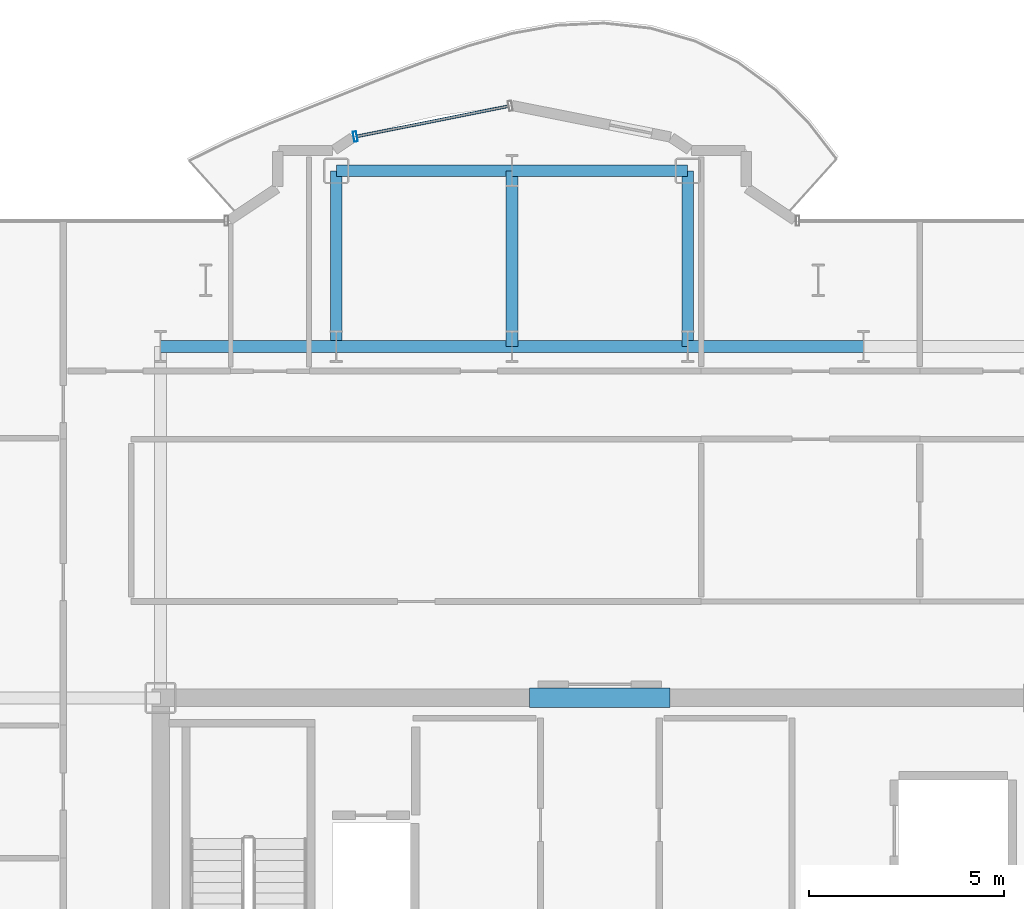
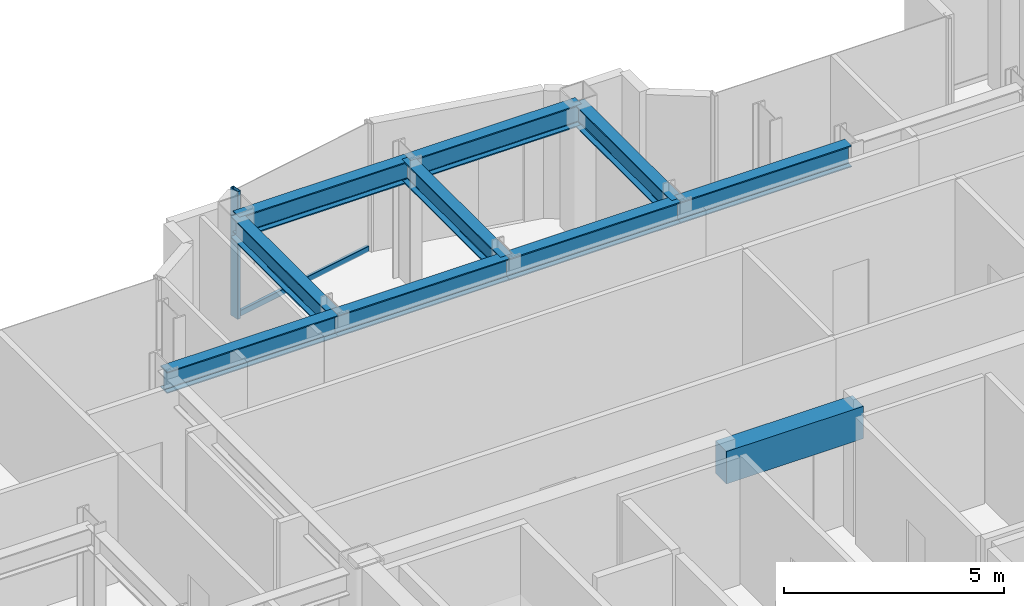
# One storey, part 9 of 21: 10 beams, 2 members, 1 element without a shape of its own.
"""IFC4 building model written with IfcOpenShell, lengths in metres."""

from ifc_helpers import new_model, si_unit, direction, frame, origin, origin_2d, place, context, subcontext, project, spatial, rectangle, hollow_rectangle, i_section, extrude, source, transform, mapped, material, layer, layer_set, material_profile, profile_set, type_object, element, aggregate, save


model = new_model("IFC4")

# Units and contexts
model_context = context("Model", 3, precision=1e-05, world=origin(), true_north=direction((0.0, 1.0)))
body_context = subcontext(model_context, "Body", "Model", "MODEL_VIEW")
ifc_project = project(units=[si_unit("LENGTHUNIT", "METRE"), si_unit("AREAUNIT", "SQUARE_METRE"), si_unit("VOLUMEUNIT", "CUBIC_METRE"), si_unit("PLANEANGLEUNIT", "RADIAN"), si_unit("MASSUNIT", "GRAM", prefix="KILO")], contexts=[model_context])

# Site, building, storey
site_placement = place(None, origin())
site = spatial("IfcSite", under=ifc_project, at=site_placement, CompositionType="ELEMENT")
building_placement = place(site_placement, origin())
building = spatial("IfcBuilding", under=site, at=building_placement, Name="Nefas-Gora Pilgrimage Tower", CompositionType="ELEMENT")
storey_placement = place(building_placement, frame((0.0, 0.0, 210.39990234375)))
storey = spatial("IfcBuildingStorey", under=building, at=storey_placement, Name="L52", CompositionType="ELEMENT", Elevation=210.39990234375)

# Beams
ifc_material_1 = material(Name="Concrete C50/60", Category="concrete")
ifc_material_profile_1 = material_profile(ifc_material_1, rectangle(XDim=0.5, YDim=0.89990234375, at=origin_2d()), Name="RC 500x900")
ifc_profile_set_1 = profile_set([ifc_material_profile_1], Name="Concrete C50/60")
beam_type_1 = type_object("IfcBeamType", Name="BM-LIN-RC900", PredefinedType="LINTEL", material=ifc_profile_set_1)
shared_shape_1 = source(origin(), body_context, "Body", "SweptSolid", [
    extrude(rectangle(XDim=0.5, YDim=0.89990234375, at=origin_2d()), origin(), (0.0, 0.0, 1.0), 3.60009765625),
])
beam_placement = place(storey_placement, frame((-1.800048828125, 9.0, 3.10009765625), z_axis=(1.0, 0.0, 0.0), x_axis=(0.0, 1.0, 0.0)))
element("IfcBeam", 1, at=beam_placement, inside=storey, type_object=beam_type_1, Name="L52 Core Coupling Lintel Beam N", PredefinedType="LINTEL", context=body_context, shape_type="MappedRepresentation", body=[
    mapped(shared_shape_1, transform((0.0, 0.0, 0.0), x_axis=(1.0, 0.0, 0.0), y_axis=(0.0, 1.0, 0.0), z_axis=(0.0, 0.0, 1.0), scale=1.0)),
])
ifc_material_2 = material(Name="Steel S355", Category="steel")
ifc_material_profile_2 = material_profile(ifc_material_2, i_section(OverallWidth=0.300048828125, OverallDepth=0.60009765625, WebThickness=0.015380859375, FlangeThickness=0.030029296875, FilletRadius=0.027099609375, at=origin_2d()), Name="HEB 600")
ifc_profile_set_2 = profile_set([ifc_material_profile_2], Name="Steel S355")
beam_type_2 = type_object("IfcBeamType", Name="BM-GIR-HEB600", PredefinedType="BEAM", material=ifc_profile_set_2)
shared_shape_2 = source(origin(), body_context, "Body", "SweptSolid", [
    extrude(i_section(OverallWidth=0.300048828125, OverallDepth=0.60009765625, WebThickness=0.015380859375, FlangeThickness=0.030029296875, FilletRadius=0.027099609375, at=origin_2d()), origin(), (0.0, 0.0, 1.0), 4.5),
])
for number, where, z_axis, x_axis, name in (
    (2, (-11.25, 18.0, 3.25), (1.0, 0.0, 0.0), (0.0, 1.0, 0.0), "L52 G-04 beam"),
    (3, (-6.75, 18.0, 3.25), (0.0, 1.0, 0.0), (-1.0, 0.0, 0.0), "L52 G-04 beam"),
    (4, (-6.75, 18.0, 3.25), (1.0, 0.0, 0.0), (0.0, 1.0, 0.0), "L52 G-04 beam"),
    (5, (-6.75, 22.5, 3.25), (1.0, 0.0, 0.0), (0.0, 1.0, 0.0), "L52 G-04 beam"),
    (6, (-2.25, 18.0, 3.25), (0.0, 1.0, 0.0), (-1.0, 0.0, 0.0), "L52 G-04 beam"),
    (7, (-2.25, 18.0, 3.25), (1.0, 0.0, 0.0), (0.0, 1.0, 0.0), "L52 G-04 beam"),
    (8, (-2.25, 22.5, 3.25), (1.0, 0.0, 0.0), (0.0, 1.0, 0.0), "L52 G-04 beam"),
    (9, (2.25, 18.0, 3.25), (0.0, 1.0, 0.0), (-1.0, 0.0, 0.0), "L52 G-04 beam"),
    (10, (2.25, 18.0, 3.25), (1.0, 0.0, 0.0), (0.0, 1.0, 0.0), "L52 G-04 beam"),
):
    element("IfcBeam", number, at=place(storey_placement, frame(where, z_axis=z_axis, x_axis=x_axis)), inside=storey, type_object=beam_type_2, Name=name, PredefinedType="BEAM", context=body_context, shape_type="MappedRepresentation", body=[
        mapped(shared_shape_2, transform((0.0, 0.0, 0.0), x_axis=(1.0, 0.0, 0.0), y_axis=(0.0, 1.0, 0.0), z_axis=(0.0, 0.0, 1.0), scale=1.0)),
    ])

# Curtain wall, members
ifc_material_3 = material(Name="Dark ceramic-fritted solar-control aluminium-glass curtain wall", Category="aluminium")
ifc_layer = layer(ifc_material_3, 0.219970703125)
ifc_layer_set = layer_set([ifc_layer], Name="Dark ceramic-fritted solar-control aluminium-glass curtain wall")
curtain_wall_type = type_object("IfcCurtainWallType", Name="CW-SYS-5", PredefinedType="NOTDEFINED", material=ifc_layer_set)
curtain_wall_placement = place(storey_placement, origin())
curtain_wall = element("IfcCurtainWall", 11, at=curtain_wall_placement, inside=storey, type_object=curtain_wall_type, Name="L52 Unitised Curtain Wall CW5", PredefinedType="NOTDEFINED")
ifc_material_4 = material(Name="Anodised architectural aluminium", Category="aluminium")
ifc_material_profile_3 = material_profile(ifc_material_4, hollow_rectangle(XDim=0.090087890625, YDim=0.260009765625, WallThickness=0.006103515625, InnerFilletRadius=0.006103515625, OuterFilletRadius=0.011962890625, at=origin_2d()), Name="ALU MULLION 90x260")
ifc_profile_set_3 = profile_set([ifc_material_profile_3], Name="Anodised architectural aluminium")
member_type_1 = type_object("IfcMemberType", Name="CWM-MUL-5", PredefinedType="MULLION", material=ifc_profile_set_3)
shared_shape_3 = source(origin(), body_context, "Body", "SweptSolid", [
    extrude(hollow_rectangle(XDim=0.090087890625, YDim=0.260009765625, WallThickness=0.006103515625, InnerFilletRadius=0.006103515625, OuterFilletRadius=0.011962890625, at=origin_2d()), origin(), (0.0, 0.0, 1.0), 3.550048828125),
])
member_1_placement = place(storey_placement, frame((-6.26318359375, 23.3740234375, 0.0), z_axis=(0.0, 0.0, 1.0), x_axis=(-0.980782896852, -0.195102304554, 0.0)))
member_1 = element("IfcMember", 12, at=member_1_placement, type_object=member_type_1, Name="CW5 Mullion 2", PredefinedType="MULLION", context=body_context, shape_type="MappedRepresentation", body=[
    mapped(shared_shape_3, transform((0.0, 0.0, 0.0), x_axis=(1.0, 0.0, 0.0), y_axis=(0.0, 1.0, 0.0), z_axis=(0.0, 0.0, 1.0), scale=1.0)),
])
ifc_material_profile_4 = material_profile(ifc_material_4, hollow_rectangle(XDim=0.080078125, YDim=0.159912109375, WallThickness=0.00439453125, InnerFilletRadius=0.00439453125, OuterFilletRadius=0.009033203125, at=origin_2d()), Name="ALU TRANSOM 80x160")
ifc_profile_set_4 = profile_set([ifc_material_profile_4], Name="Anodised architectural aluminium")
member_type_2 = type_object("IfcMemberType", Name="CWM-TRN-5", PredefinedType="USERDEFINED", material=ifc_profile_set_4)
shared_shape_4 = source(origin(), body_context, "Body", "SweptSolid", [
    extrude(hollow_rectangle(XDim=0.080078125, YDim=0.159912109375, WallThickness=0.00439453125, InnerFilletRadius=0.00439453125, OuterFilletRadius=0.009033203125, at=origin_2d()), origin(), (0.0, 0.0, 1.0), 3.95654296875),
])
member_2_placement = place(storey_placement, frame((-2.33837890625, 24.15478515625, 0.050048828125), z_axis=(-0.980781880918, -0.195107411605, 0.0), x_axis=(0.195107411605, -0.980781880918, 0.0)))
member_2 = element("IfcMember", 13, at=member_2_placement, type_object=member_type_2, Name="CW5 Spandrel Transom", ObjectType="TRANSOM", PredefinedType="USERDEFINED", context=body_context, shape_type="MappedRepresentation", body=[
    mapped(shared_shape_4, transform((0.0, 0.0, 0.0), x_axis=(1.0, 0.0, 0.0), y_axis=(0.0, 1.0, 0.0), z_axis=(0.0, 0.0, 1.0), scale=1.0)),
])
aggregate(curtain_wall, [member_1, member_2])

save(model, "model.ifc")
